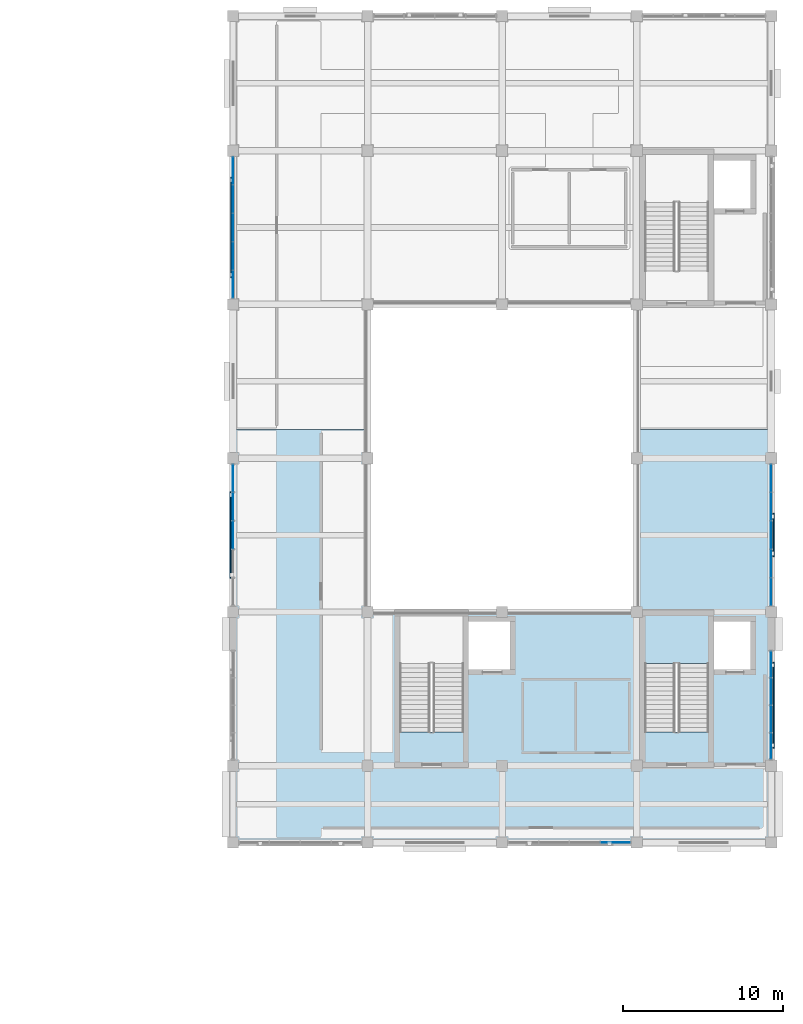
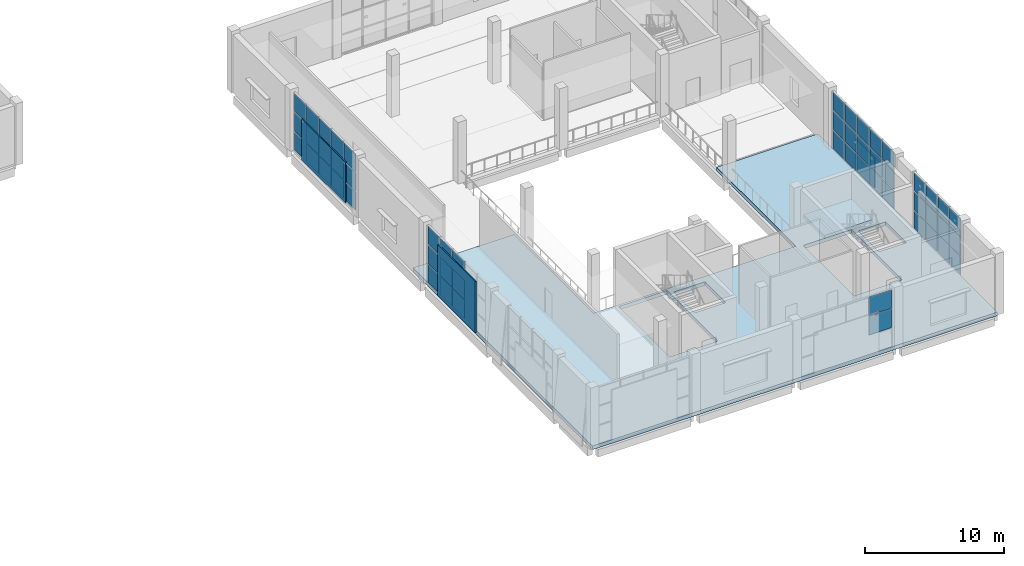
# One storey, part 42 of 72: 57 plates, 2 slabs, 6 elements without a shape of their own.
"""IFC4 building model written with IfcOpenShell, lengths in metres."""

from ifc_helpers import new_model, si_unit, direction, frame, origin, origin_2d, place, context, subcontext, project, spatial, polyline, rectangle, outline, extrude, material, layer, layer_set, type_object, element, aggregate, save


model = new_model("IFC4")

# Units and contexts
model_context = context("Model", 3, precision=1e-05, world=origin(), true_north=direction((0.0, 1.0)))
body_context = subcontext(model_context, "Body", "Model", "MODEL_VIEW")
ifc_project = project(units=[si_unit("LENGTHUNIT", "METRE"), si_unit("AREAUNIT", "SQUARE_METRE"), si_unit("VOLUMEUNIT", "CUBIC_METRE"), si_unit("PLANEANGLEUNIT", "RADIAN"), si_unit("MASSUNIT", "GRAM", prefix="KILO")], contexts=[model_context])

# Site, building, storey
site_placement = place(None, origin())
site = spatial("IfcSite", under=ifc_project, at=site_placement, CompositionType="ELEMENT")
building_placement = place(site_placement, origin())
building = spatial("IfcBuilding", under=site, at=building_placement, Name="Shalvenor Court Art Gallery", CompositionType="ELEMENT")
storey_placement = place(building_placement, frame((0.0, 0.0, 11.39990234375)))
storey = spatial("IfcBuildingStorey", under=building, at=storey_placement, Name="L02", CompositionType="ELEMENT", Elevation=11.39990234375)

# Curtain wall, plates
ifc_material_1 = material(Name="Anodised aluminium and low-iron glass curtain wall", Category="aluminium")
curtain_wall_type_1 = type_object("IfcCurtainWallType", Name="CW-5x3-89-51-222", PredefinedType="USERDEFINED", material=ifc_material_1)
curtain_wall_1_placement = place(storey_placement, origin())
curtain_wall_1 = element("IfcCurtainWall", 1, at=curtain_wall_1_placement, inside=storey, type_object=curtain_wall_type_1, Name="L02 V1 Curtain Wall CW-L02-013", ObjectType="CURTAIN WALL", PredefinedType="USERDEFINED")
ifc_material_2 = material(Name="Low-iron triple-silver solar gallery glazing IGU", Category="glass")
ifc_layer_1 = layer(ifc_material_2, 0.031982421875, Name="Low-iron triple-silver solar gallery glazing IGU")
ifc_layer_set_1 = layer_set([ifc_layer_1], Name="Low-iron triple-silver solar gallery glazing IGU")
plate_type_1 = type_object("IfcPlateType", Name="CWP-02", PredefinedType="CURTAIN_PANEL", material=ifc_layer_set_1)
plate_1_placement = place(storey_placement, frame((176.39990234375, 68.342529296875, 0.065185546875), z_axis=(0.0, 0.0, 1.0), x_axis=(0.0, -1.0, 0.0)))
plate_1 = element("IfcPlate", 2, at=plate_1_placement, type_object=plate_type_1, Name="CW-5x3-89-51-222 panel 1.1", PredefinedType="CURTAIN_PANEL", context=body_context, shape_type="SweptSolid", body=[
    extrude(rectangle(XDim=1.675048828125, YDim=0.031982421875, at=origin_2d()), origin(), (0.0, 0.0, 1.0), 1.6025390625),
])
plate_2_placement = place(storey_placement, frame((176.39990234375, 68.342529296875, 1.732421875), z_axis=(0.0, 0.0, 1.0), x_axis=(0.0, -1.0, 0.0)))
plate_2 = element("IfcPlate", 3, at=plate_2_placement, type_object=plate_type_1, Name="CW-5x3-89-51-222 panel 1.2", PredefinedType="CURTAIN_PANEL", context=body_context, shape_type="SweptSolid", body=[
    extrude(rectangle(XDim=1.675048828125, YDim=0.031982421875, at=origin_2d()), origin(), (0.0, 0.0, 1.0), 1.635009765625),
])
plate_3_placement = place(storey_placement, frame((176.39990234375, 68.342529296875, 3.4326171875), z_axis=(0.0, 0.0, 1.0), x_axis=(0.0, -1.0, 0.0)))
plate_3 = element("IfcPlate", 4, at=plate_3_placement, type_object=plate_type_1, Name="CW-5x3-89-51-222 panel 1.3", PredefinedType="CURTAIN_PANEL", context=body_context, shape_type="SweptSolid", body=[
    extrude(rectangle(XDim=1.675048828125, YDim=0.031982421875, at=origin_2d()), origin(), (0.0, 0.0, 1.0), 1.6025390625),
])
plate_4_placement = place(storey_placement, frame((176.39990234375, 66.580078125, 0.065185546875), z_axis=(0.0, 0.0, 1.0), x_axis=(0.0, -1.0, 0.0)))
plate_4 = element("IfcPlate", 5, at=plate_4_placement, type_object=plate_type_1, Name="CW-5x3-89-51-222 panel 2.1", PredefinedType="CURTAIN_PANEL", context=body_context, shape_type="SweptSolid", body=[
    extrude(rectangle(XDim=1.7099609375, YDim=0.031982421875, at=origin_2d()), origin(), (0.0, 0.0, 1.0), 1.6025390625),
])
plate_5_placement = place(storey_placement, frame((176.39990234375, 66.580078125, 1.732421875), z_axis=(0.0, 0.0, 1.0), x_axis=(0.0, -1.0, 0.0)))
plate_5 = element("IfcPlate", 6, at=plate_5_placement, type_object=plate_type_1, Name="CW-5x3-89-51-222 panel 2.2", PredefinedType="CURTAIN_PANEL", context=body_context, shape_type="SweptSolid", body=[
    extrude(rectangle(XDim=1.7099609375, YDim=0.031982421875, at=origin_2d()), origin(), (0.0, 0.0, 1.0), 1.635009765625),
])
plate_6_placement = place(storey_placement, frame((176.39990234375, 66.580078125, 3.4326171875), z_axis=(0.0, 0.0, 1.0), x_axis=(0.0, -1.0, 0.0)))
plate_6 = element("IfcPlate", 7, at=plate_6_placement, type_object=plate_type_1, Name="CW-5x3-89-51-222 panel 2.3", PredefinedType="CURTAIN_PANEL", context=body_context, shape_type="SweptSolid", body=[
    extrude(rectangle(XDim=1.7099609375, YDim=0.031982421875, at=origin_2d()), origin(), (0.0, 0.0, 1.0), 1.6025390625),
])
plate_7_placement = place(storey_placement, frame((176.39990234375, 64.800048828125, 0.065185546875), z_axis=(0.0, 0.0, 1.0), x_axis=(0.0, -1.0, 0.0)))
plate_7 = element("IfcPlate", 8, at=plate_7_placement, type_object=plate_type_1, Name="CW-5x3-89-51-222 panel 3.1", PredefinedType="CURTAIN_PANEL", context=body_context, shape_type="SweptSolid", body=[
    extrude(rectangle(XDim=1.7099609375, YDim=0.031982421875, at=origin_2d()), origin(), (0.0, 0.0, 1.0), 1.6025390625),
])
plate_8_placement = place(storey_placement, frame((176.39990234375, 64.800048828125, 1.732421875), z_axis=(0.0, 0.0, 1.0), x_axis=(0.0, -1.0, 0.0)))
plate_8 = element("IfcPlate", 9, at=plate_8_placement, type_object=plate_type_1, Name="CW-5x3-89-51-222 panel 3.2", PredefinedType="CURTAIN_PANEL", context=body_context, shape_type="SweptSolid", body=[
    extrude(rectangle(XDim=1.7099609375, YDim=0.031982421875, at=origin_2d()), origin(), (0.0, 0.0, 1.0), 1.635009765625),
])
plate_9_placement = place(storey_placement, frame((176.39990234375, 64.800048828125, 3.4326171875), z_axis=(0.0, 0.0, 1.0), x_axis=(0.0, -1.0, 0.0)))
plate_9 = element("IfcPlate", 10, at=plate_9_placement, type_object=plate_type_1, Name="CW-5x3-89-51-222 panel 3.3", PredefinedType="CURTAIN_PANEL", context=body_context, shape_type="SweptSolid", body=[
    extrude(rectangle(XDim=1.7099609375, YDim=0.031982421875, at=origin_2d()), origin(), (0.0, 0.0, 1.0), 1.6025390625),
])
plate_10_placement = place(storey_placement, frame((176.39990234375, 63.02001953125, 0.065185546875), z_axis=(0.0, 0.0, 1.0), x_axis=(0.0, -1.0, 0.0)))
plate_10 = element("IfcPlate", 11, at=plate_10_placement, type_object=plate_type_1, Name="CW-5x3-89-51-222 panel 4.1", PredefinedType="CURTAIN_PANEL", context=body_context, shape_type="SweptSolid", body=[
    extrude(rectangle(XDim=1.7099609375, YDim=0.031982421875, at=origin_2d()), origin(), (0.0, 0.0, 1.0), 1.6025390625),
])
plate_11_placement = place(storey_placement, frame((176.39990234375, 63.02001953125, 1.732421875), z_axis=(0.0, 0.0, 1.0), x_axis=(0.0, -1.0, 0.0)))
plate_11 = element("IfcPlate", 12, at=plate_11_placement, type_object=plate_type_1, Name="CW-5x3-89-51-222 panel 4.2", PredefinedType="CURTAIN_PANEL", context=body_context, shape_type="SweptSolid", body=[
    extrude(rectangle(XDim=1.7099609375, YDim=0.031982421875, at=origin_2d()), origin(), (0.0, 0.0, 1.0), 1.635009765625),
])
plate_12_placement = place(storey_placement, frame((176.39990234375, 63.02001953125, 3.4326171875), z_axis=(0.0, 0.0, 1.0), x_axis=(0.0, -1.0, 0.0)))
plate_12 = element("IfcPlate", 13, at=plate_12_placement, type_object=plate_type_1, Name="CW-5x3-89-51-222 panel 4.3", PredefinedType="CURTAIN_PANEL", context=body_context, shape_type="SweptSolid", body=[
    extrude(rectangle(XDim=1.7099609375, YDim=0.031982421875, at=origin_2d()), origin(), (0.0, 0.0, 1.0), 1.6025390625),
])
plate_13_placement = place(storey_placement, frame((176.39990234375, 61.257568359375, 0.065185546875), z_axis=(0.0, 0.0, 1.0), x_axis=(0.0, -1.0, 0.0)))
plate_13 = element("IfcPlate", 14, at=plate_13_placement, type_object=plate_type_1, Name="CW-5x3-89-51-222 panel 5.1", PredefinedType="CURTAIN_PANEL", context=body_context, shape_type="SweptSolid", body=[
    extrude(rectangle(XDim=1.675048828125, YDim=0.031982421875, at=origin_2d()), origin(), (0.0, 0.0, 1.0), 1.6025390625),
])
plate_14_placement = place(storey_placement, frame((176.39990234375, 61.257568359375, 1.732421875), z_axis=(0.0, 0.0, 1.0), x_axis=(0.0, -1.0, 0.0)))
plate_14 = element("IfcPlate", 15, at=plate_14_placement, type_object=plate_type_1, Name="CW-5x3-89-51-222 panel 5.2", PredefinedType="CURTAIN_PANEL", context=body_context, shape_type="SweptSolid", body=[
    extrude(rectangle(XDim=1.675048828125, YDim=0.031982421875, at=origin_2d()), origin(), (0.0, 0.0, 1.0), 1.635009765625),
])
plate_15_placement = place(storey_placement, frame((176.39990234375, 61.257568359375, 3.4326171875), z_axis=(0.0, 0.0, 1.0), x_axis=(0.0, -1.0, 0.0)))
plate_15 = element("IfcPlate", 16, at=plate_15_placement, type_object=plate_type_1, Name="CW-5x3-89-51-222 panel 5.3", PredefinedType="CURTAIN_PANEL", context=body_context, shape_type="SweptSolid", body=[
    extrude(rectangle(XDim=1.675048828125, YDim=0.031982421875, at=origin_2d()), origin(), (0.0, 0.0, 1.0), 1.6025390625),
])
aggregate(curtain_wall_1, [plate_1, plate_2, plate_3, plate_4, plate_5, plate_6, plate_7, plate_8, plate_9, plate_10, plate_11, plate_12, plate_13, plate_14, plate_15])

ifc_material_3 = material(Name="Anodised aluminium and low-iron glass curtain wall", Category="aluminium")
curtain_wall_type_2 = type_object("IfcCurtainWallType", Name="CW-4x3-68-51-442", PredefinedType="USERDEFINED", material=ifc_material_3)
curtain_wall_2_placement = place(storey_placement, origin())
curtain_wall_2 = element("IfcCurtainWall", 17, at=curtain_wall_2_placement, inside=storey, type_object=curtain_wall_type_2, Name="L02 V1 Curtain Wall CW-L02-014", ObjectType="CURTAIN WALL", PredefinedType="USERDEFINED")
plate_16_placement = place(storey_placement, frame((176.39990234375, 56.72509765625, 0.0703125), z_axis=(0.0, 0.0, 1.0), x_axis=(0.0, -1.0, 0.0)))
plate_16 = element("IfcPlate", 18, at=plate_16_placement, type_object=plate_type_1, Name="CW-4x3-68-51-442 panel 1.1", PredefinedType="CURTAIN_PANEL", context=body_context, shape_type="SweptSolid", body=[
    extrude(rectangle(XDim=1.60009765625, YDim=0.031982421875, at=origin_2d()), origin(), (0.0, 0.0, 1.0), 1.594970703125),
])
plate_17_placement = place(storey_placement, frame((176.39990234375, 56.72509765625, 1.735107421875), z_axis=(0.0, 0.0, 1.0), x_axis=(0.0, -1.0, 0.0)))
plate_17 = element("IfcPlate", 19, at=plate_17_placement, type_object=plate_type_1, Name="CW-4x3-68-51-442 panel 1.2", PredefinedType="CURTAIN_PANEL", context=body_context, shape_type="SweptSolid", body=[
    extrude(rectangle(XDim=1.60009765625, YDim=0.031982421875, at=origin_2d()), origin(), (0.0, 0.0, 1.0), 1.6298828125),
])
plate_18_placement = place(storey_placement, frame((176.39990234375, 56.72509765625, 3.43505859375), z_axis=(0.0, 0.0, 1.0), x_axis=(0.0, -1.0, 0.0)))
plate_18 = element("IfcPlate", 20, at=plate_18_placement, type_object=plate_type_1, Name="CW-4x3-68-51-442 panel 1.3", PredefinedType="CURTAIN_PANEL", context=body_context, shape_type="SweptSolid", body=[
    extrude(rectangle(XDim=1.60009765625, YDim=0.031982421875, at=origin_2d()), origin(), (0.0, 0.0, 1.0), 1.594970703125),
])
plate_19_placement = place(storey_placement, frame((176.39990234375, 55.03125, 0.0703125), z_axis=(0.0, 0.0, 1.0), x_axis=(0.0, -1.0, 0.0)))
plate_19 = element("IfcPlate", 21, at=plate_19_placement, type_object=plate_type_1, Name="CW-4x3-68-51-442 panel 2.1", PredefinedType="CURTAIN_PANEL", context=body_context, shape_type="SweptSolid", body=[
    extrude(rectangle(XDim=1.637451171875, YDim=0.031982421875, at=origin_2d()), origin(), (0.0, 0.0, 1.0), 1.594970703125),
])
plate_20_placement = place(storey_placement, frame((176.39990234375, 55.03125, 1.735107421875), z_axis=(0.0, 0.0, 1.0), x_axis=(0.0, -1.0, 0.0)))
plate_20 = element("IfcPlate", 22, at=plate_20_placement, type_object=plate_type_1, Name="CW-4x3-68-51-442 panel 2.2", PredefinedType="CURTAIN_PANEL", context=body_context, shape_type="SweptSolid", body=[
    extrude(rectangle(XDim=1.637451171875, YDim=0.031982421875, at=origin_2d()), origin(), (0.0, 0.0, 1.0), 1.6298828125),
])
plate_21_placement = place(storey_placement, frame((176.39990234375, 55.03125, 3.43505859375), z_axis=(0.0, 0.0, 1.0), x_axis=(0.0, -1.0, 0.0)))
plate_21 = element("IfcPlate", 23, at=plate_21_placement, type_object=plate_type_1, Name="CW-4x3-68-51-442 panel 2.3", PredefinedType="CURTAIN_PANEL", context=body_context, shape_type="SweptSolid", body=[
    extrude(rectangle(XDim=1.637451171875, YDim=0.031982421875, at=origin_2d()), origin(), (0.0, 0.0, 1.0), 1.594970703125),
])
plate_22_placement = place(storey_placement, frame((176.39990234375, 53.31884765625, 0.0703125), z_axis=(0.0, 0.0, 1.0), x_axis=(0.0, -1.0, 0.0)))
plate_22 = element("IfcPlate", 24, at=plate_22_placement, type_object=plate_type_1, Name="CW-4x3-68-51-442 panel 3.1", PredefinedType="CURTAIN_PANEL", context=body_context, shape_type="SweptSolid", body=[
    extrude(rectangle(XDim=1.637451171875, YDim=0.031982421875, at=origin_2d()), origin(), (0.0, 0.0, 1.0), 1.594970703125),
])
plate_23_placement = place(storey_placement, frame((176.39990234375, 53.31884765625, 1.735107421875), z_axis=(0.0, 0.0, 1.0), x_axis=(0.0, -1.0, 0.0)))
plate_23 = element("IfcPlate", 25, at=plate_23_placement, type_object=plate_type_1, Name="CW-4x3-68-51-442 panel 3.2", PredefinedType="CURTAIN_PANEL", context=body_context, shape_type="SweptSolid", body=[
    extrude(rectangle(XDim=1.637451171875, YDim=0.031982421875, at=origin_2d()), origin(), (0.0, 0.0, 1.0), 1.6298828125),
])
plate_24_placement = place(storey_placement, frame((176.39990234375, 53.31884765625, 3.43505859375), z_axis=(0.0, 0.0, 1.0), x_axis=(0.0, -1.0, 0.0)))
plate_24 = element("IfcPlate", 26, at=plate_24_placement, type_object=plate_type_1, Name="CW-4x3-68-51-442 panel 3.3", PredefinedType="CURTAIN_PANEL", context=body_context, shape_type="SweptSolid", body=[
    extrude(rectangle(XDim=1.637451171875, YDim=0.031982421875, at=origin_2d()), origin(), (0.0, 0.0, 1.0), 1.594970703125),
])
plate_25_placement = place(storey_placement, frame((176.39990234375, 51.625, 0.0703125), z_axis=(0.0, 0.0, 1.0), x_axis=(0.0, -1.0, 0.0)))
plate_25 = element("IfcPlate", 27, at=plate_25_placement, type_object=plate_type_1, Name="CW-4x3-68-51-442 panel 4.1", PredefinedType="CURTAIN_PANEL", context=body_context, shape_type="SweptSolid", body=[
    extrude(rectangle(XDim=1.60009765625, YDim=0.031982421875, at=origin_2d()), origin(), (0.0, 0.0, 1.0), 1.594970703125),
])
plate_26_placement = place(storey_placement, frame((176.39990234375, 51.625, 1.735107421875), z_axis=(0.0, 0.0, 1.0), x_axis=(0.0, -1.0, 0.0)))
plate_26 = element("IfcPlate", 28, at=plate_26_placement, type_object=plate_type_1, Name="CW-4x3-68-51-442 panel 4.2", PredefinedType="CURTAIN_PANEL", context=body_context, shape_type="SweptSolid", body=[
    extrude(rectangle(XDim=1.60009765625, YDim=0.031982421875, at=origin_2d()), origin(), (0.0, 0.0, 1.0), 1.6298828125),
])
plate_27_placement = place(storey_placement, frame((176.39990234375, 51.625, 3.43505859375), z_axis=(0.0, 0.0, 1.0), x_axis=(0.0, -1.0, 0.0)))
plate_27 = element("IfcPlate", 29, at=plate_27_placement, type_object=plate_type_1, Name="CW-4x3-68-51-442 panel 4.3", PredefinedType="CURTAIN_PANEL", context=body_context, shape_type="SweptSolid", body=[
    extrude(rectangle(XDim=1.60009765625, YDim=0.031982421875, at=origin_2d()), origin(), (0.0, 0.0, 1.0), 1.594970703125),
])
aggregate(curtain_wall_2, [plate_16, plate_17, plate_18, plate_19, plate_20, plate_21, plate_22, plate_23, plate_24, plate_25, plate_26, plate_27])

ifc_material_4 = material(Name="Anodised aluminium and low-iron glass curtain wall", Category="aluminium")
curtain_wall_type_3 = type_object("IfcCurtainWallType", Name="CW-4x3-77-51-612", PredefinedType="USERDEFINED", material=ifc_material_4)
curtain_wall_3_placement = place(storey_placement, origin())
curtain_wall_3 = element("IfcCurtainWall", 30, at=curtain_wall_3_placement, inside=storey, type_object=curtain_wall_type_3, Name="L02 V1 Curtain Wall CW-L02-015", ObjectType="CURTAIN WALL", PredefinedType="USERDEFINED")
plate_28_placement = place(storey_placement, frame((166.673828125, 45.60009765625, 1.72998046875), z_axis=(0.0, 0.0, 1.0), x_axis=(-1.0, 0.0, 0.0)))
plate_28 = element("IfcPlate", 31, at=plate_28_placement, type_object=plate_type_1, Name="CW-4x3-77-51-612 panel 1.2", PredefinedType="CURTAIN_PANEL", context=body_context, shape_type="SweptSolid", body=[
    extrude(rectangle(XDim=1.842529296875, YDim=0.031982421875, at=origin_2d()), origin(), (0.0, 0.0, 1.0), 1.639892578125),
])
plate_29_placement = place(storey_placement, frame((166.673828125, 45.60009765625, 3.43017578125), z_axis=(0.0, 0.0, 1.0), x_axis=(-1.0, 0.0, 0.0)))
plate_29 = element("IfcPlate", 32, at=plate_29_placement, type_object=plate_type_1, Name="CW-4x3-77-51-612 panel 1.3", PredefinedType="CURTAIN_PANEL", context=body_context, shape_type="SweptSolid", body=[
    extrude(rectangle(XDim=1.842529296875, YDim=0.031982421875, at=origin_2d()), origin(), (0.0, 0.0, 1.0), 1.610107421875),
])
aggregate(curtain_wall_3, [plate_28, plate_29])

ifc_material_5 = material(Name="Anodised aluminium and low-iron glass curtain wall", Category="aluminium")
curtain_wall_type_4 = type_object("IfcCurtainWallType", Name="CW-5x3-89-51-412", PredefinedType="USERDEFINED", material=ifc_material_5)
curtain_wall_4_placement = place(storey_placement, origin())
curtain_wall_4 = element("IfcCurtainWall", 33, at=curtain_wall_4_placement, inside=storey, type_object=curtain_wall_type_4, Name="L02 V1 Curtain Wall CW-L02-018", ObjectType="CURTAIN WALL", PredefinedType="USERDEFINED")
plate_30_placement = place(storey_placement, frame((142.800048828125, 64.800048828125, 0.06005859375), z_axis=(0.0, 0.0, 1.0), x_axis=(0.0, 1.0, 0.0)))
plate_30 = element("IfcPlate", 34, at=plate_30_placement, type_object=plate_type_1, Name="CW-5x3-89-51-412 panel 3.1", PredefinedType="CURTAIN_PANEL", context=body_context, shape_type="SweptSolid", body=[
    extrude(rectangle(XDim=1.705078125, YDim=0.031982421875, at=origin_2d()), origin(), (0.0, 0.0, 1.0), 1.610107421875),
])
plate_31_placement = place(storey_placement, frame((142.800048828125, 64.800048828125, 1.72998046875), z_axis=(0.0, 0.0, 1.0), x_axis=(0.0, 1.0, 0.0)))
plate_31 = element("IfcPlate", 35, at=plate_31_placement, type_object=plate_type_1, Name="CW-5x3-89-51-412 panel 3.2", PredefinedType="CURTAIN_PANEL", context=body_context, shape_type="SweptSolid", body=[
    extrude(rectangle(XDim=1.705078125, YDim=0.031982421875, at=origin_2d()), origin(), (0.0, 0.0, 1.0), 1.639892578125),
])
plate_32_placement = place(storey_placement, frame((142.800048828125, 64.800048828125, 3.43017578125), z_axis=(0.0, 0.0, 1.0), x_axis=(0.0, 1.0, 0.0)))
plate_32 = element("IfcPlate", 36, at=plate_32_placement, type_object=plate_type_1, Name="CW-5x3-89-51-412 panel 3.3", PredefinedType="CURTAIN_PANEL", context=body_context, shape_type="SweptSolid", body=[
    extrude(rectangle(XDim=1.705078125, YDim=0.031982421875, at=origin_2d()), origin(), (0.0, 0.0, 1.0), 1.610107421875),
])
plate_33_placement = place(storey_placement, frame((142.800048828125, 66.580078125, 0.06005859375), z_axis=(0.0, 0.0, 1.0), x_axis=(0.0, 1.0, 0.0)))
plate_33 = element("IfcPlate", 37, at=plate_33_placement, type_object=plate_type_1, Name="CW-5x3-89-51-412 panel 4.1", PredefinedType="CURTAIN_PANEL", context=body_context, shape_type="SweptSolid", body=[
    extrude(rectangle(XDim=1.705078125, YDim=0.031982421875, at=origin_2d()), origin(), (0.0, 0.0, 1.0), 1.610107421875),
])
plate_34_placement = place(storey_placement, frame((142.800048828125, 66.580078125, 1.72998046875), z_axis=(0.0, 0.0, 1.0), x_axis=(0.0, 1.0, 0.0)))
plate_34 = element("IfcPlate", 38, at=plate_34_placement, type_object=plate_type_1, Name="CW-5x3-89-51-412 panel 4.2", PredefinedType="CURTAIN_PANEL", context=body_context, shape_type="SweptSolid", body=[
    extrude(rectangle(XDim=1.705078125, YDim=0.031982421875, at=origin_2d()), origin(), (0.0, 0.0, 1.0), 1.639892578125),
])
plate_35_placement = place(storey_placement, frame((142.800048828125, 66.580078125, 3.43017578125), z_axis=(0.0, 0.0, 1.0), x_axis=(0.0, 1.0, 0.0)))
plate_35 = element("IfcPlate", 39, at=plate_35_placement, type_object=plate_type_1, Name="CW-5x3-89-51-412 panel 4.3", PredefinedType="CURTAIN_PANEL", context=body_context, shape_type="SweptSolid", body=[
    extrude(rectangle(XDim=1.705078125, YDim=0.031982421875, at=origin_2d()), origin(), (0.0, 0.0, 1.0), 1.610107421875),
])
plate_36_placement = place(storey_placement, frame((142.800048828125, 68.34130859375, 0.06005859375), z_axis=(0.0, 0.0, 1.0), x_axis=(0.0, 1.0, 0.0)))
plate_36 = element("IfcPlate", 40, at=plate_36_placement, type_object=plate_type_1, Name="CW-5x3-89-51-412 panel 5.1", PredefinedType="CURTAIN_PANEL", context=body_context, shape_type="SweptSolid", body=[
    extrude(rectangle(XDim=1.66748046875, YDim=0.031982421875, at=origin_2d()), origin(), (0.0, 0.0, 1.0), 1.610107421875),
])
plate_37_placement = place(storey_placement, frame((142.800048828125, 68.34130859375, 1.72998046875), z_axis=(0.0, 0.0, 1.0), x_axis=(0.0, 1.0, 0.0)))
plate_37 = element("IfcPlate", 41, at=plate_37_placement, type_object=plate_type_1, Name="CW-5x3-89-51-412 panel 5.2", PredefinedType="CURTAIN_PANEL", context=body_context, shape_type="SweptSolid", body=[
    extrude(rectangle(XDim=1.66748046875, YDim=0.031982421875, at=origin_2d()), origin(), (0.0, 0.0, 1.0), 1.639892578125),
])
plate_38_placement = place(storey_placement, frame((142.800048828125, 68.34130859375, 3.43017578125), z_axis=(0.0, 0.0, 1.0), x_axis=(0.0, 1.0, 0.0)))
plate_38 = element("IfcPlate", 42, at=plate_38_placement, type_object=plate_type_1, Name="CW-5x3-89-51-412 panel 5.3", PredefinedType="CURTAIN_PANEL", context=body_context, shape_type="SweptSolid", body=[
    extrude(rectangle(XDim=1.66748046875, YDim=0.031982421875, at=origin_2d()), origin(), (0.0, 0.0, 1.0), 1.610107421875),
])
aggregate(curtain_wall_4, [plate_30, plate_31, plate_32, plate_33, plate_34, plate_35, plate_36, plate_37, plate_38])

ifc_material_6 = material(Name="Anodised aluminium and low-iron glass curtain wall", Category="aluminium")
curtain_wall_type_5 = type_object("IfcCurtainWallType", Name="CW-5x3-89-51-622", PredefinedType="USERDEFINED", material=ifc_material_6)
curtain_wall_5_placement = place(storey_placement, origin())
curtain_wall_5 = element("IfcCurtainWall", 43, at=curtain_wall_5_placement, inside=storey, type_object=curtain_wall_type_5, Name="L02 V1 Curtain Wall CW-L02-019", ObjectType="CURTAIN WALL", PredefinedType="USERDEFINED")
plate_39_placement = place(storey_placement, frame((142.800048828125, 80.453857421875, 0.065185546875), z_axis=(0.0, 0.0, 1.0), x_axis=(0.0, 1.0, 0.0)))
plate_39 = element("IfcPlate", 44, at=plate_39_placement, type_object=plate_type_1, Name="CW-5x3-89-51-622 panel 1.1", PredefinedType="CURTAIN_PANEL", context=body_context, shape_type="SweptSolid", body=[
    extrude(rectangle(XDim=1.697509765625, YDim=0.031982421875, at=origin_2d()), origin(), (0.0, 0.0, 1.0), 1.6025390625),
])
plate_40_placement = place(storey_placement, frame((142.800048828125, 80.453857421875, 1.732421875), z_axis=(0.0, 0.0, 1.0), x_axis=(0.0, 1.0, 0.0)))
plate_40 = element("IfcPlate", 45, at=plate_40_placement, type_object=plate_type_1, Name="CW-5x3-89-51-622 panel 1.2", PredefinedType="CURTAIN_PANEL", context=body_context, shape_type="SweptSolid", body=[
    extrude(rectangle(XDim=1.697509765625, YDim=0.031982421875, at=origin_2d()), origin(), (0.0, 0.0, 1.0), 1.635009765625),
])
plate_41_placement = place(storey_placement, frame((142.800048828125, 80.453857421875, 3.4326171875), z_axis=(0.0, 0.0, 1.0), x_axis=(0.0, 1.0, 0.0)))
plate_41 = element("IfcPlate", 46, at=plate_41_placement, type_object=plate_type_1, Name="CW-5x3-89-51-622 panel 1.3", PredefinedType="CURTAIN_PANEL", context=body_context, shape_type="SweptSolid", body=[
    extrude(rectangle(XDim=1.697509765625, YDim=0.031982421875, at=origin_2d()), origin(), (0.0, 0.0, 1.0), 1.6025390625),
])
plate_42_placement = place(storey_placement, frame((142.800048828125, 82.219970703125, 0.065185546875), z_axis=(0.0, 0.0, 1.0), x_axis=(0.0, 1.0, 0.0)))
plate_42 = element("IfcPlate", 47, at=plate_42_placement, type_object=plate_type_1, Name="CW-5x3-89-51-622 panel 2.1", PredefinedType="CURTAIN_PANEL", context=body_context, shape_type="SweptSolid", body=[
    extrude(rectangle(XDim=1.72509765625, YDim=0.031982421875, at=origin_2d()), origin(), (0.0, 0.0, 1.0), 1.6025390625),
])
plate_43_placement = place(storey_placement, frame((142.800048828125, 82.219970703125, 1.732421875), z_axis=(0.0, 0.0, 1.0), x_axis=(0.0, 1.0, 0.0)))
plate_43 = element("IfcPlate", 48, at=plate_43_placement, type_object=plate_type_1, Name="CW-5x3-89-51-622 panel 2.2", PredefinedType="CURTAIN_PANEL", context=body_context, shape_type="SweptSolid", body=[
    extrude(rectangle(XDim=1.72509765625, YDim=0.031982421875, at=origin_2d()), origin(), (0.0, 0.0, 1.0), 1.635009765625),
])
plate_44_placement = place(storey_placement, frame((142.800048828125, 82.219970703125, 3.4326171875), z_axis=(0.0, 0.0, 1.0), x_axis=(0.0, 1.0, 0.0)))
plate_44 = element("IfcPlate", 49, at=plate_44_placement, type_object=plate_type_1, Name="CW-5x3-89-51-622 panel 2.3", PredefinedType="CURTAIN_PANEL", context=body_context, shape_type="SweptSolid", body=[
    extrude(rectangle(XDim=1.72509765625, YDim=0.031982421875, at=origin_2d()), origin(), (0.0, 0.0, 1.0), 1.6025390625),
])
plate_45_placement = place(storey_placement, frame((142.800048828125, 84.0, 0.065185546875), z_axis=(0.0, 0.0, 1.0), x_axis=(0.0, 1.0, 0.0)))
plate_45 = element("IfcPlate", 50, at=plate_45_placement, type_object=plate_type_1, Name="CW-5x3-89-51-622 panel 3.1", PredefinedType="CURTAIN_PANEL", context=body_context, shape_type="SweptSolid", body=[
    extrude(rectangle(XDim=1.72509765625, YDim=0.031982421875, at=origin_2d()), origin(), (0.0, 0.0, 1.0), 1.6025390625),
])
plate_46_placement = place(storey_placement, frame((142.800048828125, 84.0, 1.732421875), z_axis=(0.0, 0.0, 1.0), x_axis=(0.0, 1.0, 0.0)))
plate_46 = element("IfcPlate", 51, at=plate_46_placement, type_object=plate_type_1, Name="CW-5x3-89-51-622 panel 3.2", PredefinedType="CURTAIN_PANEL", context=body_context, shape_type="SweptSolid", body=[
    extrude(rectangle(XDim=1.72509765625, YDim=0.031982421875, at=origin_2d()), origin(), (0.0, 0.0, 1.0), 1.635009765625),
])
plate_47_placement = place(storey_placement, frame((142.800048828125, 84.0, 3.4326171875), z_axis=(0.0, 0.0, 1.0), x_axis=(0.0, 1.0, 0.0)))
plate_47 = element("IfcPlate", 52, at=plate_47_placement, type_object=plate_type_1, Name="CW-5x3-89-51-622 panel 3.3", PredefinedType="CURTAIN_PANEL", context=body_context, shape_type="SweptSolid", body=[
    extrude(rectangle(XDim=1.72509765625, YDim=0.031982421875, at=origin_2d()), origin(), (0.0, 0.0, 1.0), 1.6025390625),
])
plate_48_placement = place(storey_placement, frame((142.800048828125, 85.780029296875, 0.065185546875), z_axis=(0.0, 0.0, 1.0), x_axis=(0.0, 1.0, 0.0)))
plate_48 = element("IfcPlate", 53, at=plate_48_placement, type_object=plate_type_1, Name="CW-5x3-89-51-622 panel 4.1", PredefinedType="CURTAIN_PANEL", context=body_context, shape_type="SweptSolid", body=[
    extrude(rectangle(XDim=1.72509765625, YDim=0.031982421875, at=origin_2d()), origin(), (0.0, 0.0, 1.0), 1.6025390625),
])
plate_49_placement = place(storey_placement, frame((142.800048828125, 85.780029296875, 1.732421875), z_axis=(0.0, 0.0, 1.0), x_axis=(0.0, 1.0, 0.0)))
plate_49 = element("IfcPlate", 54, at=plate_49_placement, type_object=plate_type_1, Name="CW-5x3-89-51-622 panel 4.2", PredefinedType="CURTAIN_PANEL", context=body_context, shape_type="SweptSolid", body=[
    extrude(rectangle(XDim=1.72509765625, YDim=0.031982421875, at=origin_2d()), origin(), (0.0, 0.0, 1.0), 1.635009765625),
])
plate_50_placement = place(storey_placement, frame((142.800048828125, 85.780029296875, 3.4326171875), z_axis=(0.0, 0.0, 1.0), x_axis=(0.0, 1.0, 0.0)))
plate_50 = element("IfcPlate", 55, at=plate_50_placement, type_object=plate_type_1, Name="CW-5x3-89-51-622 panel 4.3", PredefinedType="CURTAIN_PANEL", context=body_context, shape_type="SweptSolid", body=[
    extrude(rectangle(XDim=1.72509765625, YDim=0.031982421875, at=origin_2d()), origin(), (0.0, 0.0, 1.0), 1.6025390625),
])
plate_51_placement = place(storey_placement, frame((142.800048828125, 87.546142578125, 0.065185546875), z_axis=(0.0, 0.0, 1.0), x_axis=(0.0, 1.0, 0.0)))
plate_51 = element("IfcPlate", 56, at=plate_51_placement, type_object=plate_type_1, Name="CW-5x3-89-51-622 panel 5.1", PredefinedType="CURTAIN_PANEL", context=body_context, shape_type="SweptSolid", body=[
    extrude(rectangle(XDim=1.697509765625, YDim=0.031982421875, at=origin_2d()), origin(), (0.0, 0.0, 1.0), 1.6025390625),
])
plate_52_placement = place(storey_placement, frame((142.800048828125, 87.546142578125, 1.732421875), z_axis=(0.0, 0.0, 1.0), x_axis=(0.0, 1.0, 0.0)))
plate_52 = element("IfcPlate", 57, at=plate_52_placement, type_object=plate_type_1, Name="CW-5x3-89-51-622 panel 5.2", PredefinedType="CURTAIN_PANEL", context=body_context, shape_type="SweptSolid", body=[
    extrude(rectangle(XDim=1.697509765625, YDim=0.031982421875, at=origin_2d()), origin(), (0.0, 0.0, 1.0), 1.635009765625),
])
plate_53_placement = place(storey_placement, frame((142.800048828125, 87.546142578125, 3.4326171875), z_axis=(0.0, 0.0, 1.0), x_axis=(0.0, 1.0, 0.0)))
plate_53 = element("IfcPlate", 58, at=plate_53_placement, type_object=plate_type_1, Name="CW-5x3-89-51-622 panel 5.3", PredefinedType="CURTAIN_PANEL", context=body_context, shape_type="SweptSolid", body=[
    extrude(rectangle(XDim=1.697509765625, YDim=0.031982421875, at=origin_2d()), origin(), (0.0, 0.0, 1.0), 1.6025390625),
])
aggregate(curtain_wall_5, [plate_39, plate_40, plate_41, plate_42, plate_43, plate_44, plate_45, plate_46, plate_47, plate_48, plate_49, plate_50, plate_51, plate_52, plate_53])

# Slab
ifc_material_7 = material(Name="Concrete C40/50", Category="concrete")
ifc_layer_2 = layer(ifc_material_7, 0.320068359375, Name="Concrete C40/50")
ifc_layer_set_2 = layer_set([ifc_layer_2], Name="Concrete C40/50")
slab_type_1 = type_object("IfcSlabType", Name="FS-320", PredefinedType="FLOOR", material=ifc_layer_set_2)
slab_1_placement = place(storey_placement, frame((0.0, 0.0, -0.31982421875)))
element("IfcSlab", 59, at=slab_1_placement, inside=storey, type_object=slab_type_1, Name="L02 V1 Floor Slab 1", PredefinedType="FLOOR", context=body_context, shape_type="SweptSolid", body=[
    extrude(outline(polyline([(176.39990234375, 45.60009765625), (142.800048828125, 45.60009765625), (142.800048828125, 71.39990234375), (151.199951171875, 71.39990234375), (151.199951171875, 60.0), (168.0, 60.0), (168.0, 71.39990234375), (176.39990234375, 71.39990234375), (176.39990234375, 45.60009765625)]), holes=[polyline([(168.5, 59.800048828125), (168.5, 52.510986328125), (172.5, 52.510986328125), (172.5, 59.800048828125), (168.5, 59.800048828125)]), polyline([(157.199951171875, 59.800048828125), (153.199951171875, 59.800048828125), (153.199951171875, 52.510986328125), (157.199951171875, 52.510986328125), (157.199951171875, 59.800048828125)]), polyline([(172.81201171875, 56.39990234375), (175.10009765625, 56.39990234375), (175.10009765625, 59.39990234375), (172.81201171875, 59.39990234375), (172.81201171875, 56.39990234375)]), polyline([(157.511962890625, 59.39990234375), (157.511962890625, 56.39990234375), (160.10009765625, 56.39990234375), (160.10009765625, 59.39990234375), (157.511962890625, 59.39990234375)])]), origin(), (0.0, 0.0, 1.0), 0.31982421875),
])

# Plates
ifc_material_8 = material(Name="Perforated pale limestone GRC lattice", Category="masonry")
ifc_layer_3 = layer(ifc_material_8, 0.090087890625, Name="Perforated pale limestone GRC lattice")
ifc_layer_set_3 = layer_set([ifc_layer_3], Name="Perforated pale limestone GRC lattice")
plate_type_2 = type_object("IfcPlateType", Name="SCR-04", PredefinedType="USERDEFINED", material=ifc_layer_set_3)
for number, where, z_axis, x_axis, name in (
    (60, (176.552978515625, 54.175048828125, 0.0), (0.0, 0.0, 1.0), (0.0, -1.0, 0.0), "L02 V1 Perforated Stone Lattice Screen PLT-SCR-0014"),
    (61, (142.64697265625, 64.800048828125, 0.0), (0.0, 0.0, 1.0), (0.0, 1.0, 0.0), "L02 V1 Perforated Stone Lattice Screen PLT-SCR-0018"),
):
    element("IfcPlate", number, at=place(storey_placement, frame(where, z_axis=z_axis, x_axis=x_axis)), inside=storey, type_object=plate_type_2, Name=name, ObjectType="SCREEN", PredefinedType="USERDEFINED", context=body_context, shape_type="SweptSolid", body=[
        extrude(rectangle(XDim=5.39990234375, YDim=0.090087890625, at=origin_2d()), origin(), (0.0, 0.0, 1.0), 4.5),
    ])
ifc_material_9 = material(Name="Perforated pale limestone GRC lattice", Category="masonry")
ifc_layer_4 = layer(ifc_material_9, 0.090087890625, Name="Perforated pale limestone GRC lattice")
ifc_layer_set_4 = layer_set([ifc_layer_4], Name="Perforated pale limestone GRC lattice")
plate_type_3 = type_object("IfcPlateType", Name="SCR-05", PredefinedType="USERDEFINED", material=ifc_layer_set_4)
plate_54_placement = place(storey_placement, frame((142.68701171875, 84.0, 0.0), z_axis=(0.0, 0.0, 1.0), x_axis=(0.0, 1.0, 0.0)))
element("IfcPlate", 62, at=plate_54_placement, inside=storey, type_object=plate_type_3, Name="L02 V1 Perforated Stone Lattice Screen PLT-SCR-0019", ObjectType="SCREEN", PredefinedType="USERDEFINED", context=body_context, shape_type="SweptSolid", body=[
    extrude(rectangle(XDim=6.300048828125, YDim=0.090087890625, at=origin_2d()), origin(), (0.0, 0.0, 1.0), 3.60009765625),
])
ifc_material_10 = material(Name="Perforated pale limestone GRC lattice", Category="masonry")
ifc_layer_5 = layer(ifc_material_10, 0.0849609375, Name="Perforated pale limestone GRC lattice")
ifc_layer_set_5 = layer_set([ifc_layer_5], Name="Perforated pale limestone GRC lattice")
plate_type_4 = type_object("IfcPlateType", Name="SCR-13", PredefinedType="USERDEFINED", material=ifc_layer_set_5)
plate_55_placement = place(storey_placement, frame((176.54052734375, 64.800048828125, 0.0), z_axis=(0.0, 0.0, 1.0), x_axis=(0.0, -1.0, 0.0)))
element("IfcPlate", 63, at=plate_55_placement, inside=storey, type_object=plate_type_4, Name="L02 V1 Perforated Stone Lattice Screen PLT-SCR-0013", ObjectType="SCREEN", PredefinedType="USERDEFINED", context=body_context, shape_type="SweptSolid", body=[
    extrude(rectangle(XDim=2.699951171875, YDim=0.0849609375, at=origin_2d()), origin(), (0.0, 0.0, 1.0), 2.699951171875),
])

# Stair, slab
ifc_material_11 = material(Name="Concrete C40/50", Category="concrete")
stair_type = type_object("IfcStairType", Name="ST-DL-32R-1900", PredefinedType="HALF_TURN_STAIR", material=ifc_material_11)
stair_placement = place(storey_placement, origin())
stair = element("IfcStair", 64, at=stair_placement, inside=storey, type_object=stair_type, Name="L02 Core Dogleg Stair ST-02", PredefinedType="HALF_TURN_STAIR")
ifc_material_12 = material(Name="Concrete C40/50", Category="concrete")
ifc_layer_6 = layer(ifc_material_12, 0.300048828125, Name="Concrete C40/50")
ifc_layer_set_6 = layer_set([ifc_layer_6], Name="Concrete C40/50")
slab_type_2 = type_object("IfcSlabType", Name="SLD-300", PredefinedType="LANDING", material=ifc_layer_set_6)
slab_2_placement = place(storey_placement, frame((0.0, 0.0, 2.400146484375)))
slab_2 = element("IfcSlab", 65, at=slab_2_placement, type_object=slab_type_2, Name="ST-DL-32R-1900 landing 1", PredefinedType="LANDING", context=body_context, shape_type="SweptSolid", body=[
    extrude(outline(polyline([(172.5, 56.77490234375), (172.5, 59.800048828125), (168.5, 59.800048828125), (168.5, 56.77490234375), (172.5, 56.77490234375)])), origin(), (0.0, 0.0, 1.0), 0.300048828125),
])
aggregate(stair, [slab_2])

save(model, "model.ifc")
